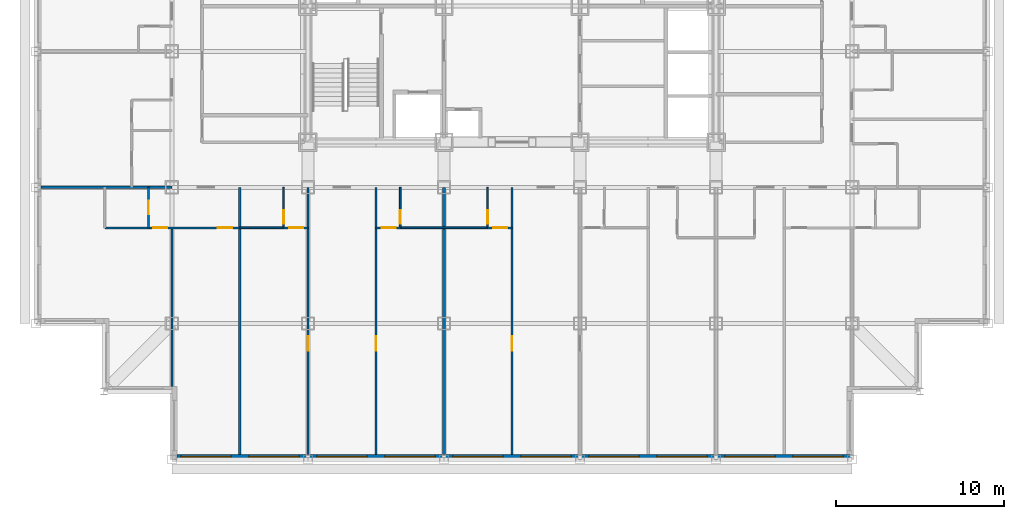
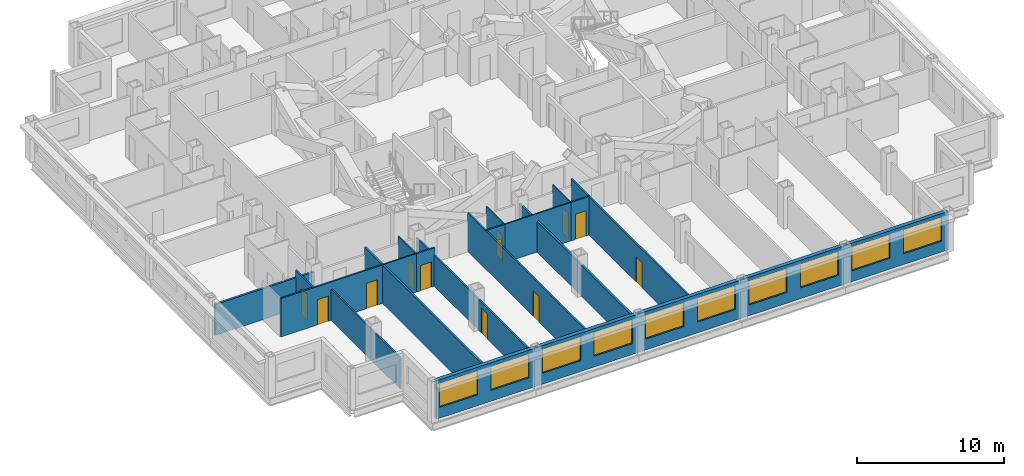
# One storey, part 4 of 13: 18 walls, 12 doors, 10 windows, 22 openings.
"""IFC4 building model written with IfcOpenShell, lengths in metres."""

import ifcopenshell
import ifcopenshell.guid

model = None  # the IFC model being written
_history = None  # IfcOwnerHistory: only IFC2X3 demands one
_inside = {}  # id of a spatial element -> (the spatial element, [elements in it])
_under = {}  # id of a project, library or spatial element -> (it, [spatial elements below it])
_declared = {}  # id of a project -> (the project, [libraries it declares])
_typed = {}  # id of a type object -> (the type object, [elements of that type])
_made_of = {}  # id of a material, layer set ... -> (it, [elements and type objects made of it])


def new_model(schema):
    """Start an empty IFC model of exactly this schema.

    Asked for "IFC4X3", IfcOpenShell would pick the latest addendum, in which some entities
    have other attributes; the version numbers below select the first issue.
    IFC2X3 requires an IfcOwnerHistory on every rooted entity: one is made here for all.
    """
    global model, _history
    if schema == "IFC4X3":
        model = ifcopenshell.file(schema_version=(4, 3, 0, 0))
    else:
        model = ifcopenshell.file(schema=schema)
    _inside.clear()
    _under.clear()
    _declared.clear()
    _typed.clear()
    _made_of.clear()
    _history = None
    if model.schema == "IFC2X3":
        org = make("IfcOrganization", Name="unknown")
        user = make(
            "IfcPersonAndOrganization",
            ThePerson=make("IfcPerson", FamilyName="unknown"),
            TheOrganization=org,
        )
        app = make(
            "IfcApplication",
            ApplicationDeveloper=org,
            Version="unknown",
            ApplicationFullName="unknown",
            ApplicationIdentifier="unknown",
        )
        _history = make(
            "IfcOwnerHistory",
            OwningUser=user,
            OwningApplication=app,
            ChangeAction="ADDED",
            CreationDate=0,
        )
    return model


def make(cls, **values):
    """One entity of the class cls with the attributes given. An attribute that is None is left unset."""
    return model.create_entity(
        cls, **{name: value for name, value in values.items() if value is not None}
    )


def rooted(cls, **values):
    """An entity with a GlobalId (a new one), such as an element, a storey or a relation."""
    return make(cls, GlobalId=ifcopenshell.guid.new(), OwnerHistory=_history, **values)


def si_unit(unit_type, name, prefix=None):
    """IfcSIUnit, for example si_unit("LENGTHUNIT", "METRE", prefix="MILLI")."""
    return make("IfcSIUnit", UnitType=unit_type, Prefix=prefix, Name=name)


def assignment(units):
    """IfcUnitAssignment: the units of a project."""
    return None if units is None else make("IfcUnitAssignment", Units=units)


def point(xyz):
    """IfcCartesianPoint."""
    return None if xyz is None else make("IfcCartesianPoint", Coordinates=xyz)


def direction(xyz):
    """IfcDirection."""
    return None if xyz is None else make("IfcDirection", DirectionRatios=xyz)


def frame(location, z_axis=None, x_axis=None):
    """IfcAxis2Placement3D, a coordinate frame: its origin and axes. An axis left out is left unset."""
    return make(
        "IfcAxis2Placement3D",
        Location=point(location),
        Axis=direction(z_axis),
        RefDirection=direction(x_axis),
    )


def frame_2d(location, x_axis=None):
    """IfcAxis2Placement2D, a coordinate frame in the plane: its origin and x axis."""
    return make(
        "IfcAxis2Placement2D", Location=point(location), RefDirection=direction(x_axis)
    )


def origin():
    """The frame at (0, 0, 0) with its axes left unset."""
    return frame((0.0, 0.0, 0.0))


def place(relative_to, where):
    """IfcLocalPlacement: puts the frame where relative to a parent placement (None: the world)."""
    return make(
        "IfcLocalPlacement", PlacementRelTo=relative_to, RelativePlacement=where
    )


def context(
    kind, dimensions, precision=None, world=None, true_north=None, identifier=None
):
    """IfcGeometricRepresentationContext, for example the 3D "Model" context."""
    return make(
        "IfcGeometricRepresentationContext",
        ContextIdentifier=identifier,
        ContextType=kind,
        CoordinateSpaceDimension=dimensions,
        Precision=precision,
        WorldCoordinateSystem=world,
        TrueNorth=true_north,
    )


def subcontext(parent, identifier, kind, view, scale=None):
    """IfcGeometricRepresentationSubContext, for example "Body" below "Model"."""
    return make(
        "IfcGeometricRepresentationSubContext",
        ContextIdentifier=identifier,
        ContextType=kind,
        ParentContext=parent,
        TargetScale=scale,
        TargetView=view,
    )


def project(units=None, contexts=None):
    """IfcProject with its units and contexts."""
    return rooted(
        "IfcProject",
        Name="project",
        RepresentationContexts=contexts,
        UnitsInContext=assignment(units),
    )


def spatial(cls, under=None, at=None, **own):
    """A site, building, storey or space (cls), placed at a placement, below another one or the project."""
    s = rooted(cls, ObjectPlacement=at, **own)
    if under is not None:
        _under.setdefault(under.id(), (under, []))[1].append(s)
    return s


def profile(cls, at=None, kind="AREA", **sizes):
    """A parametric profile (cls). Its sizes go by their IFC names, for example OverallWidth=200.0."""
    return make(cls, ProfileType=kind, Position=at, **sizes)


def rectangle(**sizes):
    """IfcRectangleProfileDef."""
    return profile("IfcRectangleProfileDef", **sizes)


def extrude(swept, where, along, depth):
    """IfcExtrudedAreaSolid: the profile swept, set in the frame where, extruded along a direction by depth."""
    return make(
        "IfcExtrudedAreaSolid",
        SweptArea=swept,
        Position=where,
        ExtrudedDirection=direction(along),
        Depth=depth,
    )


def shape(context_of_items, identifier, shape_type, items):
    """IfcShapeRepresentation: the items that make up one representation, for example the "Body"."""
    return make(
        "IfcShapeRepresentation",
        ContextOfItems=context_of_items,
        RepresentationIdentifier=identifier,
        RepresentationType=shape_type,
        Items=items,
    )


def material(Name=None, Category=None):
    """IfcMaterial."""
    return make("IfcMaterial", Name=Name, Category=Category)


def layer(
    of_material, thickness, ventilated=None, Name=None, Category=None, Priority=None
):
    """IfcMaterialLayer: one layer of a wall or slab, of a material (None: an air gap)."""
    return make(
        "IfcMaterialLayer",
        Material=of_material,
        LayerThickness=thickness,
        IsVentilated=ventilated,
        Name=Name,
        Category=Category,
        Priority=Priority,
    )


def layer_set(layers, Name=None):
    """IfcMaterialLayerSet."""
    return make("IfcMaterialLayerSet", MaterialLayers=layers, LayerSetName=Name)


def made_of(thing, what):
    """Note that an element or type object is made of a material, layer set ...; save() writes the relation."""
    if what is not None:
        _made_of.setdefault(what.id(), (what, []))[1].append(thing)
    return thing


def type_object(cls, material=None, **own):
    """A type object (cls), such as IfcWallType, which elements share."""
    return made_of(rooted(cls, **own), material)


def element(
    cls,
    number,
    at=None,
    inside=None,
    cuts=None,
    type_object=None,
    material=None,
    context=None,
    identifier="Body",
    shape_type=None,
    held_by="IfcProductDefinitionShape",
    body=None,
    shapes=None,
    **own,
):
    """One element of the class cls, such as IfcWall. Its Tag is "e" and its number.

    at: its placement. inside: the storey or other place that contains it. cuts: it is an
    opening in that element (IfcRelVoidsElement). A single representation is given by context,
    identifier, shape_type and body (its items); several are given by shapes. held_by: the class
    of the entity that holds the representations. save() writes the other relations.
    """
    e = rooted(cls, Tag="e%d" % number, ObjectPlacement=at, **own)
    if body is not None:
        shapes = [shape(context, identifier, shape_type, body)]
    if shapes is not None:
        e.Representation = make(held_by, Representations=shapes)
    if inside is not None:
        _inside.setdefault(inside.id(), (inside, []))[1].append(e)
    if cuts is not None:
        rooted(
            "IfcRelVoidsElement", RelatingBuildingElement=cuts, RelatedOpeningElement=e
        )
    if type_object is not None:
        _typed.setdefault(type_object.id(), (type_object, []))[1].append(e)
    return made_of(e, material)


def fill(opening, filler):
    """IfcRelFillsElement: the door or window that sits in an opening."""
    return rooted(
        "IfcRelFillsElement",
        RelatingOpeningElement=opening,
        RelatedBuildingElement=filler,
    )


def aggregate(whole, parts):
    """IfcRelAggregates: a whole, such as a stair, and the parts it consists of."""
    return rooted("IfcRelAggregates", RelatingObject=whole, RelatedObjects=parts)


def save(model, path):
    """Write the relations noted so far, then the file.

    IfcRelAggregates (storeys below a building ...), IfcRelContainedInSpatialStructure (elements
    in a storey), IfcRelDefinesByType, IfcRelAssociatesMaterial and IfcRelDeclares: one each for
    every whole, place, type object, material and project.
    """
    for whole, parts in _under.values():
        aggregate(whole, parts)
    for where, things in _inside.values():
        rooted(
            "IfcRelContainedInSpatialStructure",
            RelatedElements=things,
            RelatingStructure=where,
        )
    for kind, things in _typed.values():
        rooted("IfcRelDefinesByType", RelatedObjects=things, RelatingType=kind)
    for what, things in _made_of.values():
        rooted("IfcRelAssociatesMaterial", RelatedObjects=things, RelatingMaterial=what)
    for by, libraries in _declared.values():
        rooted("IfcRelDeclares", RelatingContext=by, RelatedDefinitions=libraries)
    model.write(path)


model = new_model("IFC4")

# Units and contexts
model_context = context("Model", 3, precision=1e-05, world=origin(), true_north=direction((0.0, 1.0)))
body_context = subcontext(model_context, "Body", "Model", "MODEL_VIEW")
ifc_project = project(units=[si_unit("LENGTHUNIT", "METRE"), si_unit("AREAUNIT", "SQUARE_METRE"), si_unit("VOLUMEUNIT", "CUBIC_METRE"), si_unit("PLANEANGLEUNIT", "RADIAN"), si_unit("MASSUNIT", "GRAM", prefix="KILO")], contexts=[model_context])

# Site, building, storey
site_placement = place(None, origin())
site = spatial("IfcSite", under=ifc_project, at=site_placement, CompositionType="ELEMENT")
building_placement = place(site_placement, origin())
building = spatial("IfcBuilding", under=site, at=building_placement, Name="Kopane Lantern Tower", CompositionType="ELEMENT")
storey_placement = place(building_placement, frame((0.0, 0.0, 130.60009765625)))
storey = spatial("IfcBuildingStorey", under=building, at=storey_placement, Name="L33", CompositionType="ELEMENT", Elevation=130.60009765625)

# Wall, opening, door
ifc_material_1 = material(Name="Gypsum board on steel studs", Category="steel")
ifc_layer_1 = layer(ifc_material_1, 0.1201171875)
ifc_layer_set_1 = layer_set([ifc_layer_1], Name="APARTMENT INTERNAL WALL 120")
wall_type_1 = type_object("IfcWallType", Name="APARTMENT INTERNAL WALL 120", PredefinedType="PARTITIONING", material=ifc_layer_set_1)
wall_1_placement = place(storey_placement, frame((16.199951171875, 21.60009765625, 0.0), z_axis=(0.0, 0.0, 1.0), x_axis=(0.0, -1.0, 0.0)))
wall_1 = element("IfcWall", 1, at=wall_1_placement, inside=storey, type_object=wall_type_1, Name="Apartment Internal Wall 120 L33", PredefinedType="PARTITIONING", context=body_context, shape_type="SweptSolid", body=[
    extrude(rectangle(XDim=15.900146484375, YDim=0.1201171875, at=frame_2d((7.9501953125, 0.0))), origin(), (0.0, 0.0, 1.0), 2.57763671875),
])
opening_1_placement = place(wall_1_placement, frame((8.875, 0.0, 0.0)))
opening_1 = element("IfcOpeningElement", 2, at=opening_1_placement, cuts=wall_1, Name="Opening L33-017", PredefinedType="OPENING", context=body_context, shape_type="SweptSolid", body=[
    extrude(rectangle(XDim=0.85009765625, YDim=2.10009765625, at=frame_2d((0.425048828125, 1.050048828125))), frame((0.0, 0.070068359375, 0.0), z_axis=(0.0, -1.0, 0.0), x_axis=(1.0, 0.0, 0.0)), (0.0, 0.0, 1.0), 0.14013671875),
])
ifc_material_2 = material(Name="Timber door set", Category="wood")
door_type_1 = type_object("IfcDoorType", Name="DOOR D4 850x2100", OperationType="SINGLE_SWING_LEFT", PredefinedType="DOOR", material=ifc_material_2)
door_1_placement = place(opening_1_placement, origin())
door_1 = element("IfcDoor", 3, at=door_1_placement, inside=storey, type_object=door_type_1, Name="Door L33-017", OperationType="SINGLE_SWING_RIGHT", OverallHeight=2.10009765625, OverallWidth=0.85009765625, PredefinedType="DOOR", context=body_context, shape_type="SweptSolid", body=[
    extrude(rectangle(XDim=0.85009765625, YDim=2.10009765625, at=frame_2d((0.425048828125, 1.050048828125))), frame((0.0, 0.02490234375, 0.0), z_axis=(0.0, -1.0, 0.0), x_axis=(1.0, 0.0, 0.0)), (0.0, 0.0, 1.0), 0.050048828125),
])
fill(opening_1, door_1)

wall_2_placement = place(storey_placement, frame((20.25, 21.60009765625, 0.0), z_axis=(0.0, 0.0, 1.0), x_axis=(0.0, -1.0, 0.0)))
wall_2 = element("IfcWall", 4, at=wall_2_placement, inside=storey, type_object=wall_type_1, Name="Apartment Internal Wall 120 L33", PredefinedType="PARTITIONING", context=body_context, shape_type="SweptSolid", body=[
    extrude(rectangle(XDim=15.900146484375, YDim=0.1201171875, at=frame_2d((7.9501953125, 0.0))), origin(), (0.0, 0.0, 1.0), 3.18994140625),
])
opening_2_placement = place(wall_2_placement, frame((8.875, 0.0, 0.0)))
opening_2 = element("IfcOpeningElement", 5, at=opening_2_placement, cuts=wall_2, Name="Opening L33-019", PredefinedType="OPENING", context=body_context, shape_type="SweptSolid", body=[
    extrude(rectangle(XDim=0.85009765625, YDim=2.10009765625, at=frame_2d((0.425048828125, 1.050048828125))), frame((0.0, 0.070068359375, 0.0), z_axis=(0.0, -1.0, 0.0), x_axis=(1.0, 0.0, 0.0)), (0.0, 0.0, 1.0), 0.14013671875),
])
door_2_placement = place(opening_2_placement, origin())
door_2 = element("IfcDoor", 6, at=door_2_placement, inside=storey, type_object=door_type_1, Name="Door L33-019", OperationType="SINGLE_SWING_LEFT", OverallHeight=2.10009765625, OverallWidth=0.85009765625, PredefinedType="DOOR", context=body_context, shape_type="SweptSolid", body=[
    extrude(rectangle(XDim=0.85009765625, YDim=2.10009765625, at=frame_2d((0.425048828125, 1.050048828125))), frame((0.0, 0.02490234375, 0.0), z_axis=(0.0, -1.0, 0.0), x_axis=(1.0, 0.0, 0.0)), (0.0, 0.0, 1.0), 0.050048828125),
])
fill(opening_2, door_2)

wall_3_placement = place(storey_placement, frame((28.35009765625, 21.60009765625, 0.0), z_axis=(0.0, 0.0, 1.0), x_axis=(0.0, -1.0, 0.0)))
wall_3 = element("IfcWall", 7, at=wall_3_placement, inside=storey, type_object=wall_type_1, Name="Apartment Internal Wall 120 L33", PredefinedType="PARTITIONING", context=body_context, shape_type="SweptSolid", body=[
    extrude(rectangle(XDim=15.900146484375, YDim=0.1201171875, at=frame_2d((7.9501953125, 0.0))), origin(), (0.0, 0.0, 1.0), 3.18994140625),
])
opening_3_placement = place(wall_3_placement, frame((8.875, 0.0, 0.0)))
opening_3 = element("IfcOpeningElement", 8, at=opening_3_placement, cuts=wall_3, Name="Opening L33-022", PredefinedType="OPENING", context=body_context, shape_type="SweptSolid", body=[
    extrude(rectangle(XDim=0.85009765625, YDim=2.10009765625, at=frame_2d((0.425048828125, 1.050048828125))), frame((0.0, 0.070068359375, 0.0), z_axis=(0.0, -1.0, 0.0), x_axis=(1.0, 0.0, 0.0)), (0.0, 0.0, 1.0), 0.14013671875),
])
door_3_placement = place(opening_3_placement, origin())
door_3 = element("IfcDoor", 9, at=door_3_placement, inside=storey, type_object=door_type_1, Name="Door L33-022", OperationType="SINGLE_SWING_RIGHT", OverallHeight=2.10009765625, OverallWidth=0.85009765625, PredefinedType="DOOR", context=body_context, shape_type="SweptSolid", body=[
    extrude(rectangle(XDim=0.85009765625, YDim=2.10009765625, at=frame_2d((0.425048828125, 1.050048828125))), frame((0.0, 0.02490234375, 0.0), z_axis=(0.0, -1.0, 0.0), x_axis=(1.0, 0.0, 0.0)), (0.0, 0.0, 1.0), 0.050048828125),
])
fill(opening_3, door_3)

# Wall, openings, doors
wall_4_placement = place(storey_placement, frame((4.10009765625, 19.199951171875, 0.0), z_axis=(0.0, 0.0, 1.0), x_axis=(1.0, 0.0, 0.0)))
wall_4 = element("IfcWall", 10, at=wall_4_placement, inside=storey, type_object=wall_type_1, Name="Apartment Internal Wall 120 L33", PredefinedType="PARTITIONING", context=body_context, shape_type="SweptSolid", body=[
    extrude(rectangle(XDim=8.0498046875, YDim=0.1201171875, at=frame_2d((4.02490234375, 0.0))), origin(), (0.0, 0.0, 1.0), 3.18994140625),
])
opening_4_placement = place(wall_4_placement, frame((6.72509765625, 0.0, 0.0)))
opening_4 = element("IfcOpeningElement", 11, at=opening_4_placement, cuts=wall_4, Name="Opening L33-066", PredefinedType="OPENING", context=body_context, shape_type="SweptSolid", body=[
    extrude(rectangle(XDim=0.85009765625, YDim=2.10009765625, at=frame_2d((0.425048828125, 1.050048828125))), frame((0.0, 0.070068359375, 0.0), z_axis=(0.0, -1.0, 0.0), x_axis=(1.0, 0.0, 0.0)), (0.0, 0.0, 1.0), 0.14013671875),
])
opening_5_placement = place(wall_4_placement, frame((2.875, 0.0, 0.0)))
opening_5 = element("IfcOpeningElement", 12, at=opening_5_placement, cuts=wall_4, Name="Opening L33-068", PredefinedType="OPENING", context=body_context, shape_type="SweptSolid", body=[
    extrude(rectangle(XDim=0.85009765625, YDim=2.10009765625, at=frame_2d((0.425048828125, 1.050048828125))), frame((0.0, 0.070068359375, 0.0), z_axis=(0.0, -1.0, 0.0), x_axis=(1.0, 0.0, 0.0)), (0.0, 0.0, 1.0), 0.14013671875),
])
door_4_placement = place(opening_4_placement, origin())
door_4 = element("IfcDoor", 13, at=door_4_placement, inside=storey, type_object=door_type_1, Name="Door L33-066", OperationType="SINGLE_SWING_RIGHT", OverallHeight=2.10009765625, OverallWidth=0.85009765625, PredefinedType="DOOR", context=body_context, shape_type="SweptSolid", body=[
    extrude(rectangle(XDim=0.85009765625, YDim=2.10009765625, at=frame_2d((0.425048828125, 1.050048828125))), frame((0.0, 0.02490234375, 0.0), z_axis=(0.0, -1.0, 0.0), x_axis=(1.0, 0.0, 0.0)), (0.0, 0.0, 1.0), 0.050048828125),
])
fill(opening_4, door_4)
door_5_placement = place(opening_5_placement, origin())
door_5 = element("IfcDoor", 14, at=door_5_placement, inside=storey, type_object=door_type_1, Name="Door L33-068", OperationType="SINGLE_SWING_LEFT", OverallHeight=2.10009765625, OverallWidth=0.85009765625, PredefinedType="DOOR", context=body_context, shape_type="SweptSolid", body=[
    extrude(rectangle(XDim=0.85009765625, YDim=2.10009765625, at=frame_2d((0.425048828125, 1.050048828125))), frame((0.0, 0.02490234375, 0.0), z_axis=(0.0, -1.0, 0.0), x_axis=(1.0, 0.0, 0.0)), (0.0, 0.0, 1.0), 0.050048828125),
])
fill(opening_5, door_5)

# Wall
wall_5_placement = place(storey_placement, frame((8.10009765625, 19.199951171875, 0.0), z_axis=(0.0, 0.0, 1.0), x_axis=(0.0, -1.0, 0.0)))
element("IfcWall", 15, at=wall_5_placement, inside=storey, type_object=wall_type_1, Name="Apartment Internal Wall 120 L33", PredefinedType="PARTITIONING", context=body_context, shape_type="SweptSolid", body=[
    extrude(rectangle(XDim=9.449951171875, YDim=0.1201171875, at=frame_2d((4.72509765625, 0.0))), origin(), (0.0, 0.0, 1.0), 2.57763671875),
])

# Wall, opening, door
wall_6_placement = place(storey_placement, frame((16.199951171875, 19.199951171875, 0.0), z_axis=(0.0, 0.0, 1.0), x_axis=(-1.0, 0.0, 0.0)))
wall_6 = element("IfcWall", 16, at=wall_6_placement, inside=storey, type_object=wall_type_1, Name="Apartment Internal Wall 120 L33", PredefinedType="PARTITIONING", context=body_context, shape_type="SweptSolid", body=[
    extrude(rectangle(XDim=1.4599609375, YDim=0.1201171875, at=frame_2d((0.72998046875, 0.0))), origin(), (0.0, 0.0, 1.0), 3.18994140625),
])
opening_6_placement = place(wall_6_placement, frame((0.27490234375, 0.0, 0.0)))
opening_6 = element("IfcOpeningElement", 17, at=opening_6_placement, cuts=wall_6, Name="Opening L33-079", PredefinedType="OPENING", context=body_context, shape_type="SweptSolid", body=[
    extrude(rectangle(XDim=0.85009765625, YDim=2.10009765625, at=frame_2d((0.425048828125, 1.050048828125))), frame((0.0, 0.070068359375, 0.0), z_axis=(0.0, -1.0, 0.0), x_axis=(1.0, 0.0, 0.0)), (0.0, 0.0, 1.0), 0.14013671875),
])
door_6_placement = place(opening_6_placement, origin())
door_6 = element("IfcDoor", 18, at=door_6_placement, inside=storey, type_object=door_type_1, Name="Door L33-079", OperationType="SINGLE_SWING_LEFT", OverallHeight=2.10009765625, OverallWidth=0.85009765625, PredefinedType="DOOR", context=body_context, shape_type="SweptSolid", body=[
    extrude(rectangle(XDim=0.85009765625, YDim=2.10009765625, at=frame_2d((0.425048828125, 1.050048828125))), frame((0.0, 0.02490234375, 0.0), z_axis=(0.0, -1.0, 0.0), x_axis=(1.0, 0.0, 0.0)), (0.0, 0.0, 1.0), 0.050048828125),
])
fill(opening_6, door_6)

wall_7_placement = place(storey_placement, frame((21.7099609375, 19.199951171875, 0.0), z_axis=(0.0, 0.0, 1.0), x_axis=(-1.0, 0.0, 0.0)))
wall_7 = element("IfcWall", 19, at=wall_7_placement, inside=storey, type_object=wall_type_1, Name="Apartment Internal Wall 120 L33", PredefinedType="PARTITIONING", context=body_context, shape_type="SweptSolid", body=[
    extrude(rectangle(XDim=1.4599609375, YDim=0.1201171875, at=frame_2d((0.72998046875, 0.0))), origin(), (0.0, 0.0, 1.0), 3.18994140625),
])
opening_7_placement = place(wall_7_placement, frame((0.27490234375, 0.0, 0.0)))
opening_7 = element("IfcOpeningElement", 20, at=opening_7_placement, cuts=wall_7, Name="Opening L33-080", PredefinedType="OPENING", context=body_context, shape_type="SweptSolid", body=[
    extrude(rectangle(XDim=0.85009765625, YDim=2.10009765625, at=frame_2d((0.425048828125, 1.050048828125))), frame((0.0, 0.070068359375, 0.0), z_axis=(0.0, -1.0, 0.0), x_axis=(1.0, 0.0, 0.0)), (0.0, 0.0, 1.0), 0.14013671875),
])
door_7_placement = place(opening_7_placement, origin())
door_7 = element("IfcDoor", 21, at=door_7_placement, inside=storey, type_object=door_type_1, Name="Door L33-080", OperationType="SINGLE_SWING_RIGHT", OverallHeight=2.10009765625, OverallWidth=0.85009765625, PredefinedType="DOOR", context=body_context, shape_type="SweptSolid", body=[
    extrude(rectangle(XDim=0.85009765625, YDim=2.10009765625, at=frame_2d((0.425048828125, 1.050048828125))), frame((0.0, 0.02490234375, 0.0), z_axis=(0.0, -1.0, 0.0), x_axis=(1.0, 0.0, 0.0)), (0.0, 0.0, 1.0), 0.050048828125),
])
fill(opening_7, door_7)

wall_8_placement = place(storey_placement, frame((28.35009765625, 19.199951171875, 0.0), z_axis=(0.0, 0.0, 1.0), x_axis=(-1.0, 0.0, 0.0)))
wall_8 = element("IfcWall", 22, at=wall_8_placement, inside=storey, type_object=wall_type_1, Name="Apartment Internal Wall 120 L33", PredefinedType="PARTITIONING", context=body_context, shape_type="SweptSolid", body=[
    extrude(rectangle(XDim=1.460205078125, YDim=0.1201171875, at=frame_2d((0.72998046875, 0.0))), origin(), (0.0, 0.0, 1.0), 3.18994140625),
])
opening_8_placement = place(wall_8_placement, frame((0.27490234375, 0.0, 0.0)))
opening_8 = element("IfcOpeningElement", 23, at=opening_8_placement, cuts=wall_8, Name="Opening L33-081", PredefinedType="OPENING", context=body_context, shape_type="SweptSolid", body=[
    extrude(rectangle(XDim=0.85009765625, YDim=2.10009765625, at=frame_2d((0.425048828125, 1.050048828125))), frame((0.0, 0.070068359375, 0.0), z_axis=(0.0, -1.0, 0.0), x_axis=(1.0, 0.0, 0.0)), (0.0, 0.0, 1.0), 0.14013671875),
])
door_8_placement = place(opening_8_placement, origin())
door_8 = element("IfcDoor", 24, at=door_8_placement, inside=storey, type_object=door_type_1, Name="Door L33-081", OperationType="SINGLE_SWING_LEFT", OverallHeight=2.10009765625, OverallWidth=0.85009765625, PredefinedType="DOOR", context=body_context, shape_type="SweptSolid", body=[
    extrude(rectangle(XDim=0.85009765625, YDim=2.10009765625, at=frame_2d((0.425048828125, 1.050048828125))), frame((0.0, 0.02490234375, 0.0), z_axis=(0.0, -1.0, 0.0), x_axis=(1.0, 0.0, 0.0)), (0.0, 0.0, 1.0), 0.050048828125),
])
fill(opening_8, door_8)

# Wall
ifc_material_3 = material(Name="Moisture-resistant board on steel studs", Category="steel")
ifc_layer_2 = layer(ifc_material_3, 0.10009765625)
ifc_layer_set_2 = layer_set([ifc_layer_2], Name="BATHROOM WALL 100")
wall_type_2 = type_object("IfcWallType", Name="BATHROOM WALL 100", PredefinedType="PARTITIONING", material=ifc_layer_set_2)
wall_9_placement = place(storey_placement, frame((12.14990234375, 19.199951171875, 0.0), z_axis=(0.0, 0.0, 1.0), x_axis=(1.0, 0.0, 0.0)))
element("IfcWall", 25, at=wall_9_placement, inside=storey, type_object=wall_type_2, Name="Bathroom Wall 100 L33", PredefinedType="PARTITIONING", context=body_context, shape_type="SweptSolid", body=[
    extrude(rectangle(XDim=2.60009765625, YDim=0.10009765625, at=frame_2d((1.300048828125, 0.0))), origin(), (0.0, 0.0, 1.0), 3.18994140625),
])

# Wall, opening, door
wall_10_placement = place(storey_placement, frame((14.75, 21.60009765625, 0.0), z_axis=(0.0, 0.0, 1.0), x_axis=(0.0, -1.0, 0.0)))
wall_10 = element("IfcWall", 26, at=wall_10_placement, inside=storey, type_object=wall_type_2, Name="Bathroom Wall 100 L33", PredefinedType="PARTITIONING", context=body_context, shape_type="SweptSolid", body=[
    extrude(rectangle(XDim=2.400146484375, YDim=0.10009765625, at=frame_2d((1.2001953125, 0.0))), origin(), (0.0, 0.0, 1.0), 3.18994140625),
])
opening_9_placement = place(wall_10_placement, frame((1.35009765625, 0.0, 0.0)))
opening_9 = element("IfcOpeningElement", 27, at=opening_9_placement, cuts=wall_10, Name="Opening L33-016", PredefinedType="OPENING", context=body_context, shape_type="SweptSolid", body=[
    extrude(rectangle(XDim=0.800048828125, YDim=2.10009765625, at=frame_2d((0.39990234375, 1.050048828125))), frame((0.0, 0.06005859375, 0.0), z_axis=(0.0, -1.0, 0.0), x_axis=(1.0, 0.0, 0.0)), (0.0, 0.0, 1.0), 0.1201171875),
])
ifc_material_4 = material(Name="Timber door set", Category="wood")
door_type_2 = type_object("IfcDoorType", Name="DOOR D2 800x2100", OperationType="SINGLE_SWING_LEFT", PredefinedType="DOOR", material=ifc_material_4)
door_9_placement = place(opening_9_placement, origin())
door_9 = element("IfcDoor", 28, at=door_9_placement, inside=storey, type_object=door_type_2, Name="Door L33-016", OperationType="SINGLE_SWING_RIGHT", OverallHeight=2.10009765625, OverallWidth=0.800048828125, PredefinedType="DOOR", context=body_context, shape_type="SweptSolid", body=[
    extrude(rectangle(XDim=0.800048828125, YDim=2.10009765625, at=frame_2d((0.39990234375, 1.050048828125))), frame((0.0, 0.02490234375, 0.0), z_axis=(0.0, -1.0, 0.0), x_axis=(1.0, 0.0, 0.0)), (0.0, 0.0, 1.0), 0.050048828125),
])
fill(opening_9, door_9)

# Wall
wall_11_placement = place(storey_placement, frame((21.699951171875, 19.199951171875, 0.0), z_axis=(0.0, 0.0, 1.0), x_axis=(1.0, 0.0, 0.0)))
element("IfcWall", 29, at=wall_11_placement, inside=storey, type_object=wall_type_2, Name="Bathroom Wall 100 L33", PredefinedType="PARTITIONING", context=body_context, shape_type="SweptSolid", body=[
    extrude(rectangle(XDim=5.199951171875, YDim=0.10009765625, at=frame_2d((2.60009765625, 0.0))), origin(), (0.0, 0.0, 1.0), 3.18994140625),
])

# Wall, opening, door
wall_12_placement = place(storey_placement, frame((21.699951171875, 21.60009765625, 0.0), z_axis=(0.0, 0.0, 1.0), x_axis=(0.0, -1.0, 0.0)))
wall_12 = element("IfcWall", 30, at=wall_12_placement, inside=storey, type_object=wall_type_2, Name="Bathroom Wall 100 L33", PredefinedType="PARTITIONING", context=body_context, shape_type="SweptSolid", body=[
    extrude(rectangle(XDim=2.400146484375, YDim=0.10009765625, at=frame_2d((1.2001953125, 0.0))), origin(), (0.0, 0.0, 1.0), 3.18994140625),
])
opening_10_placement = place(wall_12_placement, frame((1.35009765625, 0.0, 0.0)))
opening_10 = element("IfcOpeningElement", 31, at=opening_10_placement, cuts=wall_12, Name="Opening L33-018", PredefinedType="OPENING", context=body_context, shape_type="SweptSolid", body=[
    extrude(rectangle(XDim=0.800048828125, YDim=2.10009765625, at=frame_2d((0.39990234375, 1.050048828125))), frame((0.0, 0.06005859375, 0.0), z_axis=(0.0, -1.0, 0.0), x_axis=(1.0, 0.0, 0.0)), (0.0, 0.0, 1.0), 0.1201171875),
])
door_10_placement = place(opening_10_placement, origin())
door_10 = element("IfcDoor", 32, at=door_10_placement, inside=storey, type_object=door_type_2, Name="Door L33-018", OperationType="SINGLE_SWING_LEFT", OverallHeight=2.10009765625, OverallWidth=0.800048828125, PredefinedType="DOOR", context=body_context, shape_type="SweptSolid", body=[
    extrude(rectangle(XDim=0.800048828125, YDim=2.10009765625, at=frame_2d((0.39990234375, 1.050048828125))), frame((0.0, 0.02490234375, 0.0), z_axis=(0.0, -1.0, 0.0), x_axis=(1.0, 0.0, 0.0)), (0.0, 0.0, 1.0), 0.050048828125),
])
fill(opening_10, door_10)

wall_13_placement = place(storey_placement, frame((26.89990234375, 21.60009765625, 0.0), z_axis=(0.0, 0.0, 1.0), x_axis=(0.0, -1.0, 0.0)))
wall_13 = element("IfcWall", 33, at=wall_13_placement, inside=storey, type_object=wall_type_2, Name="Bathroom Wall 100 L33", PredefinedType="PARTITIONING", context=body_context, shape_type="SweptSolid", body=[
    extrude(rectangle(XDim=2.400146484375, YDim=0.10009765625, at=frame_2d((1.2001953125, 0.0))), origin(), (0.0, 0.0, 1.0), 3.18994140625),
])
opening_11_placement = place(wall_13_placement, frame((1.35009765625, 0.0, 0.0)))
opening_11 = element("IfcOpeningElement", 34, at=opening_11_placement, cuts=wall_13, Name="Opening L33-021", PredefinedType="OPENING", context=body_context, shape_type="SweptSolid", body=[
    extrude(rectangle(XDim=0.800048828125, YDim=2.10009765625, at=frame_2d((0.39990234375, 1.050048828125))), frame((0.0, 0.06005859375, 0.0), z_axis=(0.0, -1.0, 0.0), x_axis=(1.0, 0.0, 0.0)), (0.0, 0.0, 1.0), 0.1201171875),
])
door_11_placement = place(opening_11_placement, origin())
door_11 = element("IfcDoor", 35, at=door_11_placement, inside=storey, type_object=door_type_2, Name="Door L33-021", OperationType="SINGLE_SWING_RIGHT", OverallHeight=2.10009765625, OverallWidth=0.800048828125, PredefinedType="DOOR", context=body_context, shape_type="SweptSolid", body=[
    extrude(rectangle(XDim=0.800048828125, YDim=2.10009765625, at=frame_2d((0.39990234375, 1.050048828125))), frame((0.0, 0.02490234375, 0.0), z_axis=(0.0, -1.0, 0.0), x_axis=(1.0, 0.0, 0.0)), (0.0, 0.0, 1.0), 0.050048828125),
])
fill(opening_11, door_11)

wall_14_placement = place(storey_placement, frame((6.699951171875, 21.60009765625, 0.0), z_axis=(0.0, 0.0, 1.0), x_axis=(0.0, -1.0, 0.0)))
wall_14 = element("IfcWall", 36, at=wall_14_placement, inside=storey, type_object=wall_type_2, Name="Bathroom Wall 100 L33", PredefinedType="PARTITIONING", context=body_context, shape_type="SweptSolid", body=[
    extrude(rectangle(XDim=2.400146484375, YDim=0.10009765625, at=frame_2d((1.2001953125, 0.0))), origin(), (0.0, 0.0, 1.0), 3.18994140625),
])
opening_12_placement = place(wall_14_placement, frame((0.800048828125, 0.0, 0.0)))
opening_12 = element("IfcOpeningElement", 37, at=opening_12_placement, cuts=wall_14, Name="Opening L33-067", PredefinedType="OPENING", context=body_context, shape_type="SweptSolid", body=[
    extrude(rectangle(XDim=0.800048828125, YDim=2.10009765625, at=frame_2d((0.39990234375, 1.050048828125))), frame((0.0, 0.06005859375, 0.0), z_axis=(0.0, -1.0, 0.0), x_axis=(1.0, 0.0, 0.0)), (0.0, 0.0, 1.0), 0.1201171875),
])
door_12_placement = place(opening_12_placement, origin())
door_12 = element("IfcDoor", 38, at=door_12_placement, inside=storey, type_object=door_type_2, Name="Door L33-067", OperationType="SINGLE_SWING_RIGHT", OverallHeight=2.10009765625, OverallWidth=0.800048828125, PredefinedType="DOOR", context=body_context, shape_type="SweptSolid", body=[
    extrude(rectangle(XDim=0.800048828125, YDim=2.10009765625, at=frame_2d((0.39990234375, 1.050048828125))), frame((0.0, 0.02490234375, 0.0), z_axis=(0.0, -1.0, 0.0), x_axis=(1.0, 0.0, 0.0)), (0.0, 0.0, 1.0), 0.050048828125),
])
fill(opening_12, door_12)

# Walls
ifc_material_5 = material(Name="Gypsum board on steel studs", Category="steel")
ifc_layer_3 = layer(ifc_material_5, 0.14990234375)
ifc_layer_set_3 = layer_set([ifc_layer_3], Name="DEMISING WALL 150 EI 60")
wall_type_3 = type_object("IfcWallType", Name="DEMISING WALL 150 EI 60", PredefinedType="PARTITIONING", material=ifc_layer_set_3)
wall_15_placement = place(storey_placement, frame((24.300048828125, 21.60009765625, 0.0), z_axis=(0.0, 0.0, 1.0), x_axis=(0.0, -1.0, 0.0)))
element("IfcWall", 39, at=wall_15_placement, inside=storey, type_object=wall_type_3, Name="Demising Wall 150 Ei 60 L33", PredefinedType="PARTITIONING", context=body_context, shape_type="SweptSolid", body=[
    extrude(rectangle(XDim=15.900146484375, YDim=0.14990234375, at=frame_2d((7.9501953125, 0.0))), origin(), (0.0, 0.0, 1.0), 2.57763671875),
])
wall_16_placement = place(storey_placement, frame((0.300048828125, 21.60009765625, 0.0), z_axis=(0.0, 0.0, 1.0), x_axis=(1.0, 0.0, 0.0)))
element("IfcWall", 40, at=wall_16_placement, inside=storey, type_object=wall_type_3, Name="Demising Wall 150 Ei 60 L33", PredefinedType="PARTITIONING", context=body_context, shape_type="SweptSolid", body=[
    extrude(rectangle(XDim=7.800048828125, YDim=0.14990234375, at=frame_2d((3.89990234375, 0.0))), origin(), (0.0, 0.0, 1.0), 2.57763671875),
])
wall_17_placement = place(storey_placement, frame((12.14990234375, 21.60009765625, 0.0), z_axis=(0.0, 0.0, 1.0), x_axis=(0.0, -1.0, 0.0)))
element("IfcWall", 41, at=wall_17_placement, inside=storey, type_object=wall_type_3, Name="Demising Wall 150 Ei 60 L33", PredefinedType="PARTITIONING", context=body_context, shape_type="SweptSolid", body=[
    extrude(rectangle(XDim=15.900146484375, YDim=0.14990234375, at=frame_2d((7.9501953125, 0.0))), origin(), (0.0, 0.0, 1.0), 3.18994140625),
])

# Wall, openings, windows
ifc_material_6 = material(Name="Terracotta rainscreen on light steel framing", Category="masonry")
ifc_layer_4 = layer(ifc_material_6, 0.300048828125)
ifc_layer_set_4 = layer_set([ifc_layer_4], Name="EXTERNAL WALL EW1 300 TERRACOTTA")
wall_type_4 = type_object("IfcWallType", Name="EXTERNAL WALL EW1 300 TERRACOTTA", PredefinedType="SOLIDWALL", material=ifc_layer_set_4)
wall_18_placement = place(storey_placement, frame((8.39990234375, 5.550048828125, 0.0), z_axis=(0.0, 0.0, 1.0), x_axis=(1.0, 0.0, 0.0)))
wall_18 = element("IfcWall", 42, at=wall_18_placement, inside=storey, type_object=wall_type_4, Name="External wall S L33", PredefinedType="SOLIDWALL", context=body_context, shape_type="SweptSolid", body=[
    extrude(rectangle(XDim=40.2001953125, YDim=0.300048828125, at=frame_2d((20.10009765625, 0.0))), origin(), (0.0, 0.0, 1.0), 3.18994140625),
])
opening_13_placement = place(wall_18_placement, frame((0.22509765625, 0.0, 0.89990234375)))
opening_13 = element("IfcOpeningElement", 43, at=opening_13_placement, cuts=wall_18, Name="Opening WR300200", PredefinedType="OPENING", context=body_context, shape_type="SweptSolid", body=[
    extrude(rectangle(XDim=3.0, YDim=2.0, at=frame_2d((1.5, 1.0))), frame((0.0, 0.159912109375, 0.0), z_axis=(0.0, -1.0, 0.0), x_axis=(1.0, 0.0, 0.0)), (0.0, 0.0, 1.0), 0.320068359375),
])
opening_14_placement = place(wall_18_placement, frame((4.27490234375, 0.0, 0.89990234375)))
opening_14 = element("IfcOpeningElement", 44, at=opening_14_placement, cuts=wall_18, Name="Opening WR300200", PredefinedType="OPENING", context=body_context, shape_type="SweptSolid", body=[
    extrude(rectangle(XDim=3.0, YDim=2.0, at=frame_2d((1.5, 1.0))), frame((0.0, 0.159912109375, 0.0), z_axis=(0.0, -1.0, 0.0), x_axis=(1.0, 0.0, 0.0)), (0.0, 0.0, 1.0), 0.320068359375),
])
opening_15_placement = place(wall_18_placement, frame((8.324951171875, 0.0, 0.89990234375)))
opening_15 = element("IfcOpeningElement", 45, at=opening_15_placement, cuts=wall_18, Name="Opening WR300200", PredefinedType="OPENING", context=body_context, shape_type="SweptSolid", body=[
    extrude(rectangle(XDim=3.0, YDim=2.0, at=frame_2d((1.5, 1.0))), frame((0.0, 0.159912109375, 0.0), z_axis=(0.0, -1.0, 0.0), x_axis=(1.0, 0.0, 0.0)), (0.0, 0.0, 1.0), 0.320068359375),
])
opening_16_placement = place(wall_18_placement, frame((12.375, 0.0, 0.89990234375)))
opening_16 = element("IfcOpeningElement", 46, at=opening_16_placement, cuts=wall_18, Name="Opening WR300200", PredefinedType="OPENING", context=body_context, shape_type="SweptSolid", body=[
    extrude(rectangle(XDim=3.0, YDim=2.0, at=frame_2d((1.5, 1.0))), frame((0.0, 0.159912109375, 0.0), z_axis=(0.0, -1.0, 0.0), x_axis=(1.0, 0.0, 0.0)), (0.0, 0.0, 1.0), 0.320068359375),
])
opening_17_placement = place(wall_18_placement, frame((16.425048828125, 0.0, 0.89990234375)))
opening_17 = element("IfcOpeningElement", 47, at=opening_17_placement, cuts=wall_18, Name="Opening WR300200", PredefinedType="OPENING", context=body_context, shape_type="SweptSolid", body=[
    extrude(rectangle(XDim=3.0, YDim=2.0, at=frame_2d((1.5, 1.0))), frame((0.0, 0.159912109375, 0.0), z_axis=(0.0, -1.0, 0.0), x_axis=(1.0, 0.0, 0.0)), (0.0, 0.0, 1.0), 0.320068359375),
])
opening_18_placement = place(wall_18_placement, frame((20.47509765625, 0.0, 0.89990234375)))
opening_18 = element("IfcOpeningElement", 48, at=opening_18_placement, cuts=wall_18, Name="Opening WR300200", PredefinedType="OPENING", context=body_context, shape_type="SweptSolid", body=[
    extrude(rectangle(XDim=3.0, YDim=2.0, at=frame_2d((1.5, 1.0))), frame((0.0, 0.159912109375, 0.0), z_axis=(0.0, -1.0, 0.0), x_axis=(1.0, 0.0, 0.0)), (0.0, 0.0, 1.0), 0.320068359375),
])
opening_19_placement = place(wall_18_placement, frame((24.52490234375, 0.0, 0.89990234375)))
opening_19 = element("IfcOpeningElement", 49, at=opening_19_placement, cuts=wall_18, Name="Opening WR300200", PredefinedType="OPENING", context=body_context, shape_type="SweptSolid", body=[
    extrude(rectangle(XDim=3.0, YDim=2.0, at=frame_2d((1.5, 1.0))), frame((0.0, 0.159912109375, 0.0), z_axis=(0.0, -1.0, 0.0), x_axis=(1.0, 0.0, 0.0)), (0.0, 0.0, 1.0), 0.320068359375),
])
opening_20_placement = place(wall_18_placement, frame((28.574951171875, 0.0, 0.89990234375)))
opening_20 = element("IfcOpeningElement", 50, at=opening_20_placement, cuts=wall_18, Name="Opening WR300200", PredefinedType="OPENING", context=body_context, shape_type="SweptSolid", body=[
    extrude(rectangle(XDim=3.0, YDim=2.0, at=frame_2d((1.5, 1.0))), frame((0.0, 0.159912109375, 0.0), z_axis=(0.0, -1.0, 0.0), x_axis=(1.0, 0.0, 0.0)), (0.0, 0.0, 1.0), 0.320068359375),
])
opening_21_placement = place(wall_18_placement, frame((32.625, 0.0, 0.89990234375)))
opening_21 = element("IfcOpeningElement", 51, at=opening_21_placement, cuts=wall_18, Name="Opening WR300200", PredefinedType="OPENING", context=body_context, shape_type="SweptSolid", body=[
    extrude(rectangle(XDim=3.0, YDim=2.0, at=frame_2d((1.5, 1.0))), frame((0.0, 0.159912109375, 0.0), z_axis=(0.0, -1.0, 0.0), x_axis=(1.0, 0.0, 0.0)), (0.0, 0.0, 1.0), 0.320068359375),
])
opening_22_placement = place(wall_18_placement, frame((36.675048828125, 0.0, 0.89990234375)))
opening_22 = element("IfcOpeningElement", 52, at=opening_22_placement, cuts=wall_18, Name="Opening WR300200", PredefinedType="OPENING", context=body_context, shape_type="SweptSolid", body=[
    extrude(rectangle(XDim=3.0, YDim=2.0, at=frame_2d((1.5, 1.0))), frame((0.0, 0.159912109375, 0.0), z_axis=(0.0, -1.0, 0.0), x_axis=(1.0, 0.0, 0.0)), (0.0, 0.0, 1.0), 0.320068359375),
])
ifc_material_7 = material(Name="Aluminium and clear glass", Category="aluminium")
window_type = type_object("IfcWindowType", Name="RIBBON WINDOW WR300200 3000x2000", PartitioningType="SINGLE_PANEL", PredefinedType="WINDOW", material=ifc_material_7)
window_1_placement = place(opening_13_placement, origin())
window_1 = element("IfcWindow", 53, at=window_1_placement, inside=storey, type_object=window_type, Name="Window S L33", OverallHeight=2.0, OverallWidth=3.0, PartitioningType="SINGLE_PANEL", PredefinedType="WINDOW", context=body_context, shape_type="SweptSolid", body=[
    extrude(rectangle(XDim=3.0, YDim=2.0, at=frame_2d((1.5, 1.0))), frame((0.0, 0.030029296875, 0.0), z_axis=(0.0, -1.0, 0.0), x_axis=(1.0, 0.0, 0.0)), (0.0, 0.0, 1.0), 0.06005859375),
])
fill(opening_13, window_1)
window_2_placement = place(opening_14_placement, origin())
window_2 = element("IfcWindow", 54, at=window_2_placement, inside=storey, type_object=window_type, Name="Window S L33", OverallHeight=2.0, OverallWidth=3.0, PartitioningType="SINGLE_PANEL", PredefinedType="WINDOW", context=body_context, shape_type="SweptSolid", body=[
    extrude(rectangle(XDim=3.0, YDim=2.0, at=frame_2d((1.5, 1.0))), frame((0.0, 0.030029296875, 0.0), z_axis=(0.0, -1.0, 0.0), x_axis=(1.0, 0.0, 0.0)), (0.0, 0.0, 1.0), 0.06005859375),
])
fill(opening_14, window_2)
window_3_placement = place(opening_15_placement, origin())
window_3 = element("IfcWindow", 55, at=window_3_placement, inside=storey, type_object=window_type, Name="Window S L33", OverallHeight=2.0, OverallWidth=3.0, PartitioningType="SINGLE_PANEL", PredefinedType="WINDOW", context=body_context, shape_type="SweptSolid", body=[
    extrude(rectangle(XDim=3.0, YDim=2.0, at=frame_2d((1.5, 1.0))), frame((0.0, 0.030029296875, 0.0), z_axis=(0.0, -1.0, 0.0), x_axis=(1.0, 0.0, 0.0)), (0.0, 0.0, 1.0), 0.06005859375),
])
fill(opening_15, window_3)
window_4_placement = place(opening_16_placement, origin())
window_4 = element("IfcWindow", 56, at=window_4_placement, inside=storey, type_object=window_type, Name="Window S L33", OverallHeight=2.0, OverallWidth=3.0, PartitioningType="SINGLE_PANEL", PredefinedType="WINDOW", context=body_context, shape_type="SweptSolid", body=[
    extrude(rectangle(XDim=3.0, YDim=2.0, at=frame_2d((1.5, 1.0))), frame((0.0, 0.030029296875, 0.0), z_axis=(0.0, -1.0, 0.0), x_axis=(1.0, 0.0, 0.0)), (0.0, 0.0, 1.0), 0.06005859375),
])
fill(opening_16, window_4)
window_5_placement = place(opening_17_placement, origin())
window_5 = element("IfcWindow", 57, at=window_5_placement, inside=storey, type_object=window_type, Name="Window S L33", OverallHeight=2.0, OverallWidth=3.0, PartitioningType="SINGLE_PANEL", PredefinedType="WINDOW", context=body_context, shape_type="SweptSolid", body=[
    extrude(rectangle(XDim=3.0, YDim=2.0, at=frame_2d((1.5, 1.0))), frame((0.0, 0.030029296875, 0.0), z_axis=(0.0, -1.0, 0.0), x_axis=(1.0, 0.0, 0.0)), (0.0, 0.0, 1.0), 0.06005859375),
])
fill(opening_17, window_5)
window_6_placement = place(opening_18_placement, origin())
window_6 = element("IfcWindow", 58, at=window_6_placement, inside=storey, type_object=window_type, Name="Window S L33", OverallHeight=2.0, OverallWidth=3.0, PartitioningType="SINGLE_PANEL", PredefinedType="WINDOW", context=body_context, shape_type="SweptSolid", body=[
    extrude(rectangle(XDim=3.0, YDim=2.0, at=frame_2d((1.5, 1.0))), frame((0.0, 0.030029296875, 0.0), z_axis=(0.0, -1.0, 0.0), x_axis=(1.0, 0.0, 0.0)), (0.0, 0.0, 1.0), 0.06005859375),
])
fill(opening_18, window_6)
window_7_placement = place(opening_19_placement, origin())
window_7 = element("IfcWindow", 59, at=window_7_placement, inside=storey, type_object=window_type, Name="Window S L33", OverallHeight=2.0, OverallWidth=3.0, PartitioningType="SINGLE_PANEL", PredefinedType="WINDOW", context=body_context, shape_type="SweptSolid", body=[
    extrude(rectangle(XDim=3.0, YDim=2.0, at=frame_2d((1.5, 1.0))), frame((0.0, 0.030029296875, 0.0), z_axis=(0.0, -1.0, 0.0), x_axis=(1.0, 0.0, 0.0)), (0.0, 0.0, 1.0), 0.06005859375),
])
fill(opening_19, window_7)
window_8_placement = place(opening_20_placement, origin())
window_8 = element("IfcWindow", 60, at=window_8_placement, inside=storey, type_object=window_type, Name="Window S L33", OverallHeight=2.0, OverallWidth=3.0, PartitioningType="SINGLE_PANEL", PredefinedType="WINDOW", context=body_context, shape_type="SweptSolid", body=[
    extrude(rectangle(XDim=3.0, YDim=2.0, at=frame_2d((1.5, 1.0))), frame((0.0, 0.030029296875, 0.0), z_axis=(0.0, -1.0, 0.0), x_axis=(1.0, 0.0, 0.0)), (0.0, 0.0, 1.0), 0.06005859375),
])
fill(opening_20, window_8)
window_9_placement = place(opening_21_placement, origin())
window_9 = element("IfcWindow", 61, at=window_9_placement, inside=storey, type_object=window_type, Name="Window S L33", OverallHeight=2.0, OverallWidth=3.0, PartitioningType="SINGLE_PANEL", PredefinedType="WINDOW", context=body_context, shape_type="SweptSolid", body=[
    extrude(rectangle(XDim=3.0, YDim=2.0, at=frame_2d((1.5, 1.0))), frame((0.0, 0.030029296875, 0.0), z_axis=(0.0, -1.0, 0.0), x_axis=(1.0, 0.0, 0.0)), (0.0, 0.0, 1.0), 0.06005859375),
])
fill(opening_21, window_9)
window_10_placement = place(opening_22_placement, origin())
window_10 = element("IfcWindow", 62, at=window_10_placement, inside=storey, type_object=window_type, Name="Window S L33", OverallHeight=2.0, OverallWidth=3.0, PartitioningType="SINGLE_PANEL", PredefinedType="WINDOW", context=body_context, shape_type="SweptSolid", body=[
    extrude(rectangle(XDim=3.0, YDim=2.0, at=frame_2d((1.5, 1.0))), frame((0.0, 0.030029296875, 0.0), z_axis=(0.0, -1.0, 0.0), x_axis=(1.0, 0.0, 0.0)), (0.0, 0.0, 1.0), 0.06005859375),
])
fill(opening_22, window_10)

save(model, "model.ifc")
